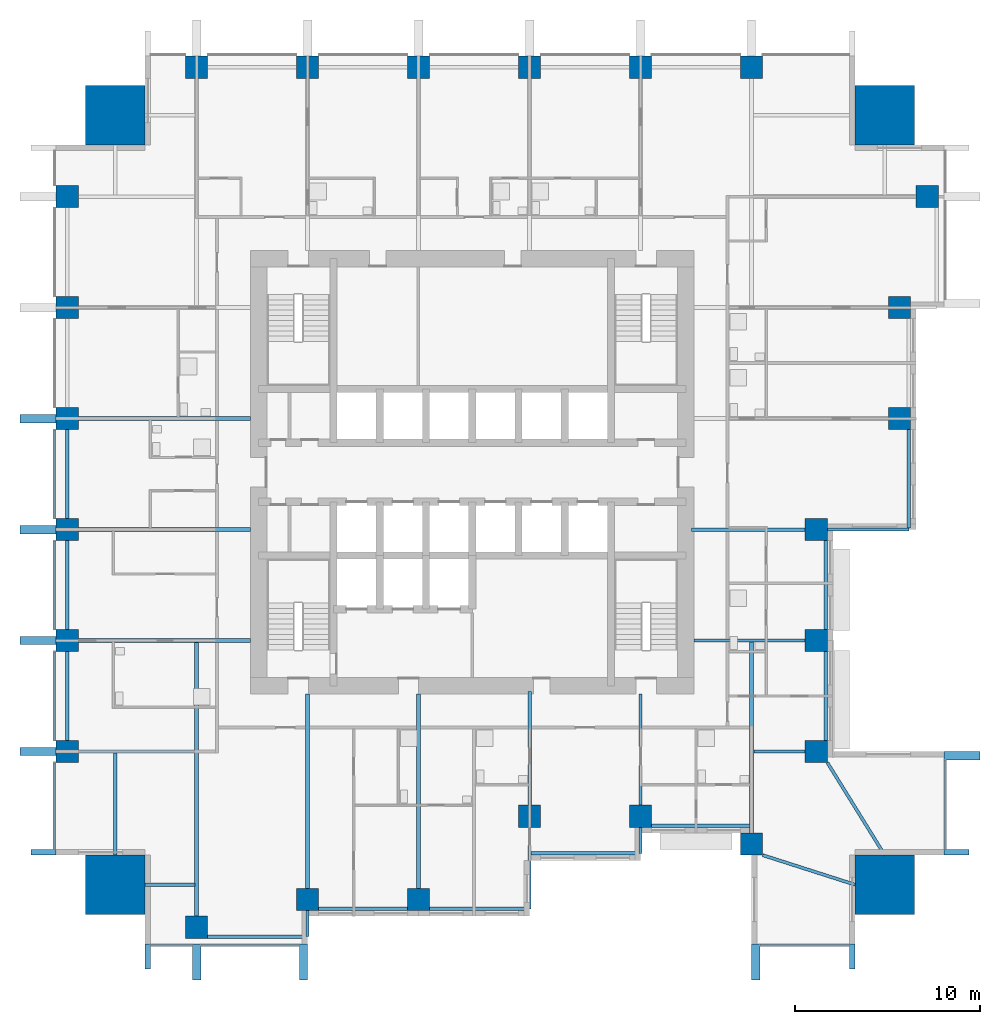
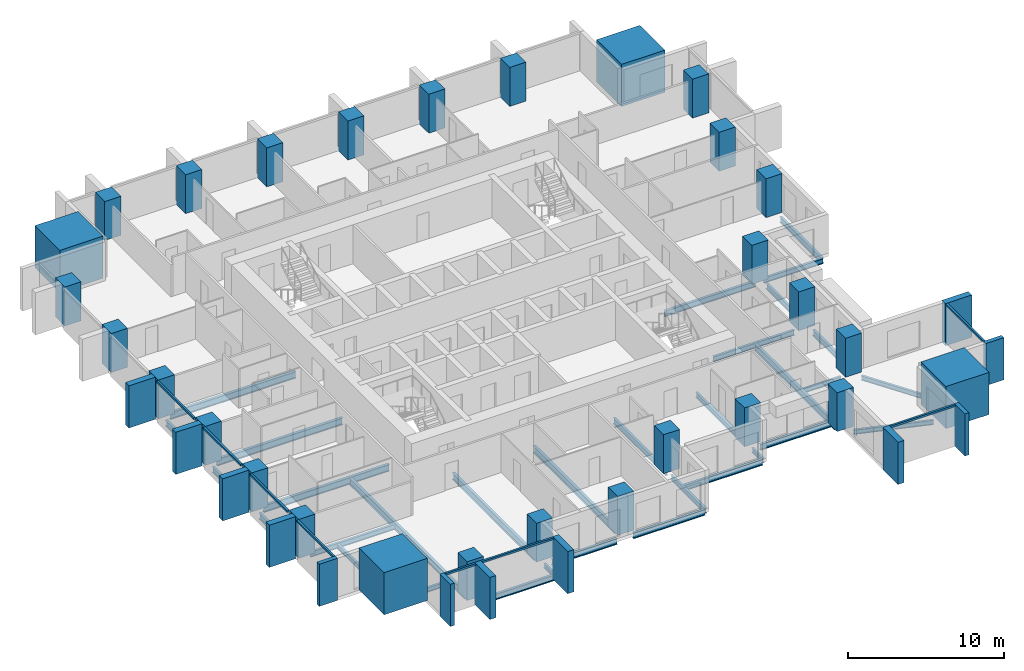
# One storey, part 1 of 10: 32 beams, 28 columns, 20 members, 4 elements without a shape of their own.
"""IFC4 building model written with IfcOpenShell, lengths in metres."""

from ifc_helpers import new_model, si_unit, direction, frame, origin, origin_2d, place, context, subcontext, project, spatial, rectangle, i_section, extrude, material, material_profile, profile_set, type_object, element, aggregate, save


model = new_model("IFC4")

# Units and contexts
model_context = context("Model", 3, precision=1e-05, world=origin(), true_north=direction((0.0, 1.0)))
body_context = subcontext(model_context, "Body", "Model", "MODEL_VIEW")
ifc_project = project(units=[si_unit("LENGTHUNIT", "METRE"), si_unit("AREAUNIT", "SQUARE_METRE"), si_unit("VOLUMEUNIT", "CUBIC_METRE"), si_unit("PLANEANGLEUNIT", "RADIAN"), si_unit("MASSUNIT", "GRAM", prefix="KILO")], contexts=[model_context])

# Site, building, storey
site_placement = place(None, origin())
site = spatial("IfcSite", under=ifc_project, at=site_placement, CompositionType="ELEMENT")
building_placement = place(site_placement, origin())
building = spatial("IfcBuilding", under=site, at=building_placement, Name="Amberfall Residences", CompositionType="ELEMENT")
storey_placement = place(building_placement, frame((0.0, 0.0, 63.10009765625)))
storey = spatial("IfcBuildingStorey", under=building, at=storey_placement, Name="L17", CompositionType="ELEMENT", Elevation=63.10009765625)

# Columns
ifc_material_1 = material(Name="Concrete C80", Category="concrete")
ifc_material_profile_1 = material_profile(ifc_material_1, rectangle(XDim=1.199951171875, YDim=1.199951171875, at=origin_2d()), Name="Column 1200 x 1200 C80")
ifc_profile_set_1 = profile_set([ifc_material_profile_1], Name="Concrete C80")
column_type_1 = type_object("IfcColumnType", Name="Column 1200 x 1200 C80", PredefinedType="COLUMN", material=ifc_profile_set_1)
for number, where, z_axis, x_axis, name in (
    (1, (59.60009765625, 20.89990234375, 0.0), (0.0, 0.0, 1.0), (1.0, 0.0, 0.0), "Column C1 L17 S1"),
    (2, (65.60009765625, 22.39990234375, 0.0), (0.0, 0.0, 1.0), (1.0, 0.0, 0.0), "Column C1 L17 S2"),
    (3, (71.60009765625, 22.39990234375, 0.0), (0.0, 0.0, 1.0), (1.0, 0.0, 0.0), "Column C1 L17 S3"),
    (4, (77.60009765625, 26.89990234375, 0.0), (0.0, 0.0, 1.0), (1.0, 0.0, 0.0), "Column C1 L17 S4"),
    (5, (83.60009765625, 26.89990234375, 0.0), (0.0, 0.0, 1.0), (1.0, 0.0, 0.0), "Column C1 L17 S5"),
    (6, (89.60009765625, 25.39990234375, 0.0), (0.0, 0.0, 1.0), (1.0, 0.0, 0.0), "Column C1 L17 S6"),
    (7, (93.10009765625, 30.39990234375, 0.0), (0.0, 0.0, 1.0), (1.0, 0.0, 0.0), "Column C1 L17 E1"),
    (8, (93.10009765625, 36.39990234375, 0.0), (0.0, 0.0, 1.0), (1.0, 0.0, 0.0), "Column C1 L17 E2"),
    (9, (93.10009765625, 42.39990234375, 0.0), (0.0, 0.0, 1.0), (1.0, 0.0, 0.0), "Column C1 L17 E3"),
    (10, (97.60009765625, 48.39990234375, 0.0), (0.0, 0.0, 1.0), (1.0, 0.0, 0.0), "Column C1 L17 E4"),
    (11, (97.60009765625, 54.39990234375, 0.0), (0.0, 0.0, 1.0), (1.0, 0.0, 0.0), "Column C1 L17 E5"),
    (12, (99.10009765625, 60.39990234375, 0.0), (0.0, 0.0, 1.0), (1.0, 0.0, 0.0), "Column C1 L17 E6"),
    (13, (59.60009765625, 67.39990234375, 0.0), (0.0, 0.0, 1.0), (1.0, 0.0, 0.0), "Column C1 L17 N1"),
    (14, (65.60009765625, 67.39990234375, 0.0), (0.0, 0.0, 1.0), (1.0, 0.0, 0.0), "Column C1 L17 N2"),
    (15, (71.60009765625, 67.39990234375, 0.0), (0.0, 0.0, 1.0), (1.0, 0.0, 0.0), "Column C1 L17 N3"),
    (16, (77.60009765625, 67.39990234375, 0.0), (0.0, 0.0, 1.0), (1.0, 0.0, 0.0), "Column C1 L17 N4"),
    (17, (83.60009765625, 67.39990234375, 0.0), (0.0, 0.0, 1.0), (1.0, 0.0, 0.0), "Column C1 L17 N5"),
    (18, (89.60009765625, 67.39990234375, 0.0), (0.0, 0.0, 1.0), (1.0, 0.0, 0.0), "Column C1 L17 N6"),
    (19, (52.60009765625, 30.39990234375, 0.0), (0.0, 0.0, 1.0), (1.0, 0.0, 0.0), "Column C1 L17 W1"),
    (20, (52.60009765625, 36.39990234375, 0.0), (0.0, 0.0, 1.0), (1.0, 0.0, 0.0), "Column C1 L17 W2"),
    (21, (52.60009765625, 42.39990234375, 0.0), (0.0, 0.0, 1.0), (1.0, 0.0, 0.0), "Column C1 L17 W3"),
    (22, (52.60009765625, 48.39990234375, 0.0), (0.0, 0.0, 1.0), (1.0, 0.0, 0.0), "Column C1 L17 W4"),
    (23, (52.60009765625, 54.39990234375, 0.0), (0.0, 0.0, 1.0), (1.0, 0.0, 0.0), "Column C1 L17 W5"),
    (24, (52.60009765625, 60.39990234375, 0.0), (0.0, 0.0, 1.0), (1.0, 0.0, 0.0), "Column C1 L17 W6"),
):
    element("IfcColumn", number, at=place(storey_placement, frame(where, z_axis=z_axis, x_axis=x_axis)), inside=storey, type_object=column_type_1, Name=name, PredefinedType="COLUMN", context=body_context, shape_type="SweptSolid", body=[
        extrude(rectangle(XDim=1.199951171875, YDim=1.199951171875, at=origin_2d()), origin(), (0.0, 0.0, 1.0), 3.0498046875),
    ])
ifc_material_profile_2 = material_profile(ifc_material_1, rectangle(XDim=3.199951171875, YDim=3.199951171875, at=origin_2d()), Name="Mega column 3200 x 3200 C80")
ifc_profile_set_2 = profile_set([ifc_material_profile_2], Name="Concrete C80")
column_type_2 = type_object("IfcColumnType", Name="Mega column 3200 x 3200 C80", PredefinedType="COLUMN", material=ifc_profile_set_2)
for number, where, z_axis, x_axis, name in (
    (25, (55.199951171875, 23.199951171875, 0.0), (0.0, 0.0, 1.0), (1.0, 0.0, 0.0), "Mega column MC1 L17 SW"),
    (26, (96.800048828125, 23.199951171875, 0.0), (0.0, 0.0, 1.0), (1.0, 0.0, 0.0), "Mega column MC1 L17 SE"),
    (27, (96.800048828125, 64.800048828125, 0.0), (0.0, 0.0, 1.0), (1.0, 0.0, 0.0), "Mega column MC1 L17 NE"),
    (28, (55.199951171875, 64.800048828125, 0.0), (0.0, 0.0, 1.0), (1.0, 0.0, 0.0), "Mega column MC1 L17 NW"),
):
    element("IfcColumn", number, at=place(storey_placement, frame(where, z_axis=z_axis, x_axis=x_axis)), inside=storey, type_object=column_type_2, Name=name, PredefinedType="COLUMN", context=body_context, shape_type="SweptSolid", body=[
        extrude(rectangle(XDim=3.199951171875, YDim=3.199951171875, at=origin_2d()), origin(), (0.0, 0.0, 1.0), 3.2998046875),
    ])

# Curtain wall, members
ifc_material_2 = material(Name="Bronze anodised aluminium and glass", Category="aluminium")
curtain_wall_type = type_object("IfcCurtainWallType", Name="Curtain wall CW1 tower unit", PredefinedType="USERDEFINED", material=ifc_material_2)
curtain_wall_1_placement = place(storey_placement, origin())
curtain_wall_1 = element("IfcCurtainWall", 29, at=curtain_wall_1_placement, inside=storey, type_object=curtain_wall_type, Name="Curtain wall L17 S S1", ObjectType="UNITISED CURTAIN WALL", PredefinedType="USERDEFINED")
ifc_material_3 = material(Name="Bronze anodised aluminium", Category="aluminium")
ifc_material_profile_3 = material_profile(ifc_material_3, rectangle(XDim=0.14990234375, YDim=0.14990234375, at=origin_2d()), Name="CW1 transom 150 x 150 bronze")
ifc_profile_set_3 = profile_set([ifc_material_profile_3], Name="Bronze anodised aluminium")
member_type_1 = type_object("IfcMemberType", Name="CW1 transom 150 x 150 bronze", PredefinedType="USERDEFINED", material=ifc_profile_set_3)
member_1_placement = place(storey_placement, frame((57.10009765625, 19.925048828125, 2.974853515625), z_axis=(1.0, 0.0, 0.0), x_axis=(0.0, 1.0, 0.0)))
member_1 = element("IfcMember", 30, at=member_1_placement, type_object=member_type_1, Name="CW1 transom 1.1", ObjectType="TRANSOM", PredefinedType="USERDEFINED", context=body_context, shape_type="SweptSolid", body=[
    extrude(rectangle(XDim=0.14990234375, YDim=0.14990234375, at=origin_2d()), origin(), (0.0, 0.0, 1.0), 2.27490234375),
])
member_2_placement = place(storey_placement, frame((59.824951171875, 19.925048828125, 2.974853515625), z_axis=(1.0, 0.0, 0.0), x_axis=(0.0, 1.0, 0.0)))
member_2 = element("IfcMember", 31, at=member_2_placement, type_object=member_type_1, Name="CW1 transom 2.1", ObjectType="TRANSOM", PredefinedType="USERDEFINED", context=body_context, shape_type="SweptSolid", body=[
    extrude(rectangle(XDim=0.14990234375, YDim=0.14990234375, at=origin_2d()), origin(), (0.0, 0.0, 1.0), 5.324951171875),
])

# Curtain wall, member
curtain_wall_2_placement = place(storey_placement, origin())
curtain_wall_2 = element("IfcCurtainWall", 32, at=curtain_wall_2_placement, inside=storey, type_object=curtain_wall_type, Name="Curtain wall L17 S S10", ObjectType="UNITISED CURTAIN WALL", PredefinedType="USERDEFINED")
member_3_placement = place(storey_placement, frame((90.050048828125, 19.925048828125, 2.974853515625), z_axis=(1.0, 0.0, 0.0), x_axis=(0.0, 1.0, 0.0)))
member_3 = element("IfcMember", 33, at=member_3_placement, type_object=member_type_1, Name="CW1 transom 1.1", ObjectType="TRANSOM", PredefinedType="USERDEFINED", context=body_context, shape_type="SweptSolid", body=[
    extrude(rectangle(XDim=0.14990234375, YDim=0.14990234375, at=origin_2d()), origin(), (0.0, 0.0, 1.0), 4.849853515625),
])

curtain_wall_3_placement = place(storey_placement, origin())
curtain_wall_3 = element("IfcCurtainWall", 34, at=curtain_wall_3_placement, inside=storey, type_object=curtain_wall_type, Name="Curtain wall L17 E E1", ObjectType="UNITISED CURTAIN WALL", PredefinedType="USERDEFINED")
member_4_placement = place(storey_placement, frame((100.074951171875, 25.10009765625, 2.974853515625), z_axis=(0.0, 1.0, 0.0), x_axis=(-1.0, 0.0, 0.0)))
member_4 = element("IfcMember", 35, at=member_4_placement, type_object=member_type_1, Name="CW1 transom 1.1", ObjectType="TRANSOM", PredefinedType="USERDEFINED", context=body_context, shape_type="SweptSolid", body=[
    extrude(rectangle(XDim=0.14990234375, YDim=0.14990234375, at=origin_2d()), origin(), (0.0, 0.0, 1.0), 4.849853515625),
])

# Curtain wall, members
curtain_wall_4_placement = place(storey_placement, origin())
curtain_wall_4 = element("IfcCurtainWall", 36, at=curtain_wall_4_placement, inside=storey, type_object=curtain_wall_type, Name="Curtain wall L17 W W1", ObjectType="UNITISED CURTAIN WALL", PredefinedType="USERDEFINED")
member_5_placement = place(storey_placement, frame((51.925048828125, 47.794921875, 2.974853515625), z_axis=(0.0, -1.0, 0.0), x_axis=(1.0, 0.0, 0.0)))
member_5 = element("IfcMember", 37, at=member_5_placement, type_object=member_type_1, Name="CW1 transom 4.1", ObjectType="TRANSOM", PredefinedType="USERDEFINED", context=body_context, shape_type="SweptSolid", body=[
    extrude(rectangle(XDim=0.14990234375, YDim=0.14990234375, at=origin_2d()), origin(), (0.0, 0.0, 1.0), 4.7900390625),
])
member_6_placement = place(storey_placement, frame((51.925048828125, 41.794921875, 2.974853515625), z_axis=(0.0, -1.0, 0.0), x_axis=(1.0, 0.0, 0.0)))
member_6 = element("IfcMember", 38, at=member_6_placement, type_object=member_type_1, Name="CW1 transom 5.1", ObjectType="TRANSOM", PredefinedType="USERDEFINED", context=body_context, shape_type="SweptSolid", body=[
    extrude(rectangle(XDim=0.14990234375, YDim=0.14990234375, at=origin_2d()), origin(), (0.0, 0.0, 1.0), 4.7900390625),
])
member_7_placement = place(storey_placement, frame((51.925048828125, 35.794921875, 2.974853515625), z_axis=(0.0, -1.0, 0.0), x_axis=(1.0, 0.0, 0.0)))
member_7 = element("IfcMember", 39, at=member_7_placement, type_object=member_type_1, Name="CW1 transom 6.1", ObjectType="TRANSOM", PredefinedType="USERDEFINED", context=body_context, shape_type="SweptSolid", body=[
    extrude(rectangle(XDim=0.14990234375, YDim=0.14990234375, at=origin_2d()), origin(), (0.0, 0.0, 1.0), 4.7900390625),
])
member_8_placement = place(storey_placement, frame((51.925048828125, 29.794921875, 2.974853515625), z_axis=(0.0, -1.0, 0.0), x_axis=(1.0, 0.0, 0.0)))
member_8 = element("IfcMember", 40, at=member_8_placement, type_object=member_type_1, Name="CW1 transom 7.1", ObjectType="TRANSOM", PredefinedType="USERDEFINED", context=body_context, shape_type="SweptSolid", body=[
    extrude(rectangle(XDim=0.14990234375, YDim=0.14990234375, at=origin_2d()), origin(), (0.0, 0.0, 1.0), 4.69482421875),
])

# Beams
ifc_material_4 = material(Name="Steel S355", Category="steel")
ifc_material_profile_4 = material_profile(ifc_material_4, i_section(OverallWidth=0.171142578125, OverallDepth=0.351318359375, WebThickness=0.007080078125, FlangeThickness=0.009765625, FilletRadius=0.01025390625, at=origin_2d()), Name="UB 356x171x45")
ifc_profile_set_4 = profile_set([ifc_material_profile_4], Name="Steel S355")
beam_type_1 = type_object("IfcBeamType", Name="Cantilever girder UB 356x171x45", PredefinedType="BEAM", material=ifc_profile_set_4)
for number, where, z_axis, x_axis, name in (
    (41, (65.60009765625, 21.800048828125, -0.42578125), (0.0, -1.0, 0.0), (1.0, 0.0, 0.0), "Cantilever girder B8 L17 06"),
    (42, (83.60009765625, 26.300048828125, -0.42578125), (0.0, -1.0, 0.0), (1.0, 0.0, 0.0), "Cantilever girder B8 L17 08"),
):
    element("IfcBeam", number, at=place(storey_placement, frame(where, z_axis=z_axis, x_axis=x_axis)), inside=storey, type_object=beam_type_1, Name=name, PredefinedType="BEAM", context=body_context, shape_type="SweptSolid", body=[
        extrude(i_section(OverallWidth=0.171142578125, OverallDepth=0.351318359375, WebThickness=0.007080078125, FlangeThickness=0.009765625, FilletRadius=0.01025390625, at=origin_2d()), origin(), (0.0, 0.0, 1.0), 1.400146484375),
    ])
ifc_material_profile_5 = material_profile(ifc_material_4, i_section(OverallWidth=0.177734375, OverallDepth=0.402587890625, WebThickness=0.0078125, FlangeThickness=0.010986328125, FilletRadius=0.01025390625, at=origin_2d()), Name="UB 406x178x54")
ifc_profile_set_5 = profile_set([ifc_material_profile_5], Name="Steel S355")
beam_type_2 = type_object("IfcBeamType", Name="Cantilever girder UB 406x178x54", PredefinedType="BEAM", material=ifc_profile_set_5)
for number, where, z_axis, x_axis, name in (
    (43, (77.60009765625, 26.300048828125, -0.451416015625), (0.0, -1.0, 0.0), (1.0, 0.0, 0.0), "Cantilever girder B9 L17 07"),
    (44, (93.699951171875, 42.39990234375, -0.451416015625), (1.0, 0.0, 0.0), (0.0, 1.0, 0.0), "Cantilever girder B9 L17 20"),
):
    element("IfcBeam", number, at=place(storey_placement, frame(where, z_axis=z_axis, x_axis=x_axis)), inside=storey, type_object=beam_type_2, Name=name, PredefinedType="BEAM", context=body_context, shape_type="SweptSolid", body=[
        extrude(i_section(OverallWidth=0.177734375, OverallDepth=0.402587890625, WebThickness=0.0078125, FlangeThickness=0.010986328125, FilletRadius=0.01025390625, at=origin_2d()), origin(), (0.0, 0.0, 1.0), 4.400146484375),
    ])

# Member
ifc_material_profile_6 = material_profile(ifc_material_3, rectangle(XDim=1.35009765625, YDim=0.300048828125, at=origin_2d()), Name="Corner fin 300 x 1350 bronze")
ifc_profile_set_6 = profile_set([ifc_material_profile_6], Name="Bronze anodised aluminium")
member_type_2 = type_object("IfcMemberType", Name="Corner fin 300 x 1350 bronze", PredefinedType="MULLION", material=ifc_profile_set_6)
member_9_placement = place(storey_placement, frame((56.949951171875, 19.324951171875, -0.25), z_axis=(0.0, 0.0, 1.0), x_axis=(0.0, 1.0, 0.0)))
member_9 = element("IfcMember", 45, at=member_9_placement, type_object=member_type_2, Name="CW FIN 1", PredefinedType="MULLION", context=body_context, shape_type="SweptSolid", body=[
    extrude(rectangle(XDim=1.35009765625, YDim=0.300048828125, at=origin_2d()), origin(), (0.0, 0.0, 1.0), 3.2998046875),
])

member_10_placement = place(storey_placement, frame((95.050048828125, 19.324951171875, -0.25), z_axis=(0.0, 0.0, 1.0), x_axis=(0.0, 1.0, 0.0)))
member_10 = element("IfcMember", 46, at=member_10_placement, type_object=member_type_2, Name="CW FIN 2", PredefinedType="MULLION", context=body_context, shape_type="SweptSolid", body=[
    extrude(rectangle(XDim=1.35009765625, YDim=0.300048828125, at=origin_2d()), origin(), (0.0, 0.0, 1.0), 3.2998046875),
])

member_11_placement = place(storey_placement, frame((100.675048828125, 24.949951171875, -0.25), z_axis=(0.0, 0.0, 1.0), x_axis=(-1.0, 0.0, 0.0)))
member_11 = element("IfcMember", 47, at=member_11_placement, type_object=member_type_2, Name="CW FIN 1", PredefinedType="MULLION", context=body_context, shape_type="SweptSolid", body=[
    extrude(rectangle(XDim=1.35009765625, YDim=0.300048828125, at=origin_2d()), origin(), (0.0, 0.0, 1.0), 3.2998046875),
])

member_12_placement = place(storey_placement, frame((51.324951171875, 24.949951171875, -0.25), z_axis=(0.0, 0.0, 1.0), x_axis=(1.0, 0.0, 0.0)))
member_12 = element("IfcMember", 48, at=member_12_placement, type_object=member_type_2, Name="CW FIN 8", PredefinedType="MULLION", context=body_context, shape_type="SweptSolid", body=[
    extrude(rectangle(XDim=1.35009765625, YDim=0.300048828125, at=origin_2d()), origin(), (0.0, 0.0, 1.0), 3.2998046875),
])

# Beams
ifc_material_profile_7 = material_profile(ifc_material_4, i_section(OverallWidth=0.18994140625, OverallDepth=0.453369140625, WebThickness=0.008544921875, FlangeThickness=0.0126953125, FilletRadius=0.01025390625, at=origin_2d()), Name="UB 457x191x67")
ifc_profile_set_7 = profile_set([ifc_material_profile_7], Name="Steel S355")
beam_type_3 = type_object("IfcBeamType", Name="Edge beam UB 457x191x67", PredefinedType="SPANDREL", material=ifc_profile_set_7)
beam_1_placement = place(storey_placement, frame((60.199951171875, 20.39990234375, -0.476806640625), z_axis=(1.0, 0.0, 0.0), x_axis=(0.0, 1.0, 0.0)))
element("IfcBeam", 49, at=beam_1_placement, inside=storey, type_object=beam_type_3, Name="Edge beam B1 L17 01", PredefinedType="SPANDREL", context=body_context, shape_type="SweptSolid", body=[
    extrude(i_section(OverallWidth=0.18994140625, OverallDepth=0.453369140625, WebThickness=0.008544921875, FlangeThickness=0.0126953125, FilletRadius=0.01025390625, at=origin_2d()), origin(), (0.0, 0.0, 1.0), 5.320068359375),
])
beam_2_placement = place(storey_placement, frame((66.199951171875, 21.89990234375, -0.476806640625), z_axis=(1.0, 0.0, 0.0), x_axis=(0.0, 1.0, 0.0)))
element("IfcBeam", 50, at=beam_2_placement, inside=storey, type_object=beam_type_3, Name="Edge beam B1 L17 02", PredefinedType="SPANDREL", context=body_context, shape_type="SweptSolid", body=[
    extrude(i_section(OverallWidth=0.18994140625, OverallDepth=0.453369140625, WebThickness=0.008544921875, FlangeThickness=0.0126953125, FilletRadius=0.01025390625, at=origin_2d()), origin(), (0.0, 0.0, 1.0), 4.800048828125),
])
beam_3_placement = place(storey_placement, frame((72.199951171875, 21.89990234375, -0.476806640625), z_axis=(1.0, 0.0, 0.0), x_axis=(0.0, 1.0, 0.0)))
element("IfcBeam", 51, at=beam_3_placement, inside=storey, type_object=beam_type_3, Name="Edge beam B1 L17 03", PredefinedType="SPANDREL", context=body_context, shape_type="SweptSolid", body=[
    extrude(i_section(OverallWidth=0.18994140625, OverallDepth=0.453369140625, WebThickness=0.008544921875, FlangeThickness=0.0126953125, FilletRadius=0.01025390625, at=origin_2d()), origin(), (0.0, 0.0, 1.0), 5.320068359375),
])
beam_4_placement = place(storey_placement, frame((77.679931640625, 24.89990234375, -0.476806640625), z_axis=(1.0, 0.0, 0.0), x_axis=(0.0, 1.0, 0.0)))
element("IfcBeam", 52, at=beam_4_placement, inside=storey, type_object=beam_type_3, Name="Edge beam B1 L17 04", PredefinedType="SPANDREL", context=body_context, shape_type="SweptSolid", body=[
    extrude(i_section(OverallWidth=0.18994140625, OverallDepth=0.453369140625, WebThickness=0.008544921875, FlangeThickness=0.0126953125, FilletRadius=0.01025390625, at=origin_2d()), origin(), (0.0, 0.0, 1.0), 5.840087890625),
])
beam_5_placement = place(storey_placement, frame((84.199951171875, 26.39990234375, -0.476806640625), z_axis=(1.0, 0.0, 0.0), x_axis=(0.0, 1.0, 0.0)))
element("IfcBeam", 53, at=beam_5_placement, inside=storey, type_object=beam_type_3, Name="Edge beam B1 L17 05", PredefinedType="SPANDREL", context=body_context, shape_type="SweptSolid", body=[
    extrude(i_section(OverallWidth=0.18994140625, OverallDepth=0.453369140625, WebThickness=0.008544921875, FlangeThickness=0.0126953125, FilletRadius=0.01025390625, at=origin_2d()), origin(), (0.0, 0.0, 1.0), 5.320068359375),
])
for number, where, z_axis, x_axis, name in (
    (54, (93.60009765625, 31.0, -0.476806640625), (0.0, 1.0, 0.0), (-1.0, 0.0, 0.0), "Edge beam B1 L17 15"),
    (55, (93.60009765625, 37.0, -0.476806640625), (0.0, 1.0, 0.0), (-1.0, 0.0, 0.0), "Edge beam B1 L17 16"),
):
    element("IfcBeam", number, at=place(storey_placement, frame(where, z_axis=z_axis, x_axis=x_axis)), inside=storey, type_object=beam_type_3, Name=name, PredefinedType="SPANDREL", context=body_context, shape_type="SweptSolid", body=[
        extrude(i_section(OverallWidth=0.18994140625, OverallDepth=0.453369140625, WebThickness=0.008544921875, FlangeThickness=0.0126953125, FilletRadius=0.01025390625, at=origin_2d()), origin(), (0.0, 0.0, 1.0), 4.800048828125),
    ])
beam_6_placement = place(storey_placement, frame((98.10009765625, 42.47998046875, -0.476806640625), z_axis=(0.0, 1.0, 0.0), x_axis=(-1.0, 0.0, 0.0)))
element("IfcBeam", 56, at=beam_6_placement, inside=storey, type_object=beam_type_3, Name="Edge beam B1 L17 17", PredefinedType="SPANDREL", context=body_context, shape_type="SweptSolid", body=[
    extrude(i_section(OverallWidth=0.18994140625, OverallDepth=0.453369140625, WebThickness=0.008544921875, FlangeThickness=0.0126953125, FilletRadius=0.01025390625, at=origin_2d()), origin(), (0.0, 0.0, 1.0), 5.320068359375),
])
for number, where, z_axis, x_axis, name in (
    (57, (52.60009765625, 31.0, -0.476806640625), (0.0, 1.0, 0.0), (-1.0, 0.0, 0.0), "Edge beam B1 L17 39"),
    (58, (52.60009765625, 37.0, -0.476806640625), (0.0, 1.0, 0.0), (-1.0, 0.0, 0.0), "Edge beam B1 L17 40"),
    (59, (52.60009765625, 43.0, -0.476806640625), (0.0, 1.0, 0.0), (-1.0, 0.0, 0.0), "Edge beam B1 L17 41"),
):
    element("IfcBeam", number, at=place(storey_placement, frame(where, z_axis=z_axis, x_axis=x_axis)), inside=storey, type_object=beam_type_3, Name=name, PredefinedType="SPANDREL", context=body_context, shape_type="SweptSolid", body=[
        extrude(i_section(OverallWidth=0.18994140625, OverallDepth=0.453369140625, WebThickness=0.008544921875, FlangeThickness=0.0126953125, FilletRadius=0.01025390625, at=origin_2d()), origin(), (0.0, 0.0, 1.0), 4.800048828125),
    ])

# Member
ifc_material_profile_8 = material_profile(ifc_material_3, rectangle(XDim=1.949951171875, YDim=0.449951171875, at=origin_2d()), Name="Fin 450 x 1950 bronze")
ifc_profile_set_8 = profile_set([ifc_material_profile_8], Name="Bronze anodised aluminium")
member_type_3 = type_object("IfcMemberType", Name="Fin 450 x 1950 bronze", PredefinedType="MULLION", material=ifc_profile_set_8)
member_13_placement = place(storey_placement, frame((59.60009765625, 19.02490234375, -0.25), z_axis=(0.0, 0.0, 1.0), x_axis=(0.0, 1.0, 0.0)))
member_13 = element("IfcMember", 60, at=member_13_placement, type_object=member_type_3, Name="CW FIN 2", PredefinedType="MULLION", context=body_context, shape_type="SweptSolid", body=[
    extrude(rectangle(XDim=1.949951171875, YDim=0.449951171875, at=origin_2d()), origin(), (0.0, 0.0, 1.0), 3.2998046875),
])

member_14_placement = place(storey_placement, frame((65.375, 19.02490234375, -0.25), z_axis=(0.0, 0.0, 1.0), x_axis=(0.0, 1.0, 0.0)))
member_14 = element("IfcMember", 61, at=member_14_placement, type_object=member_type_3, Name="CW FIN 3", PredefinedType="MULLION", context=body_context, shape_type="SweptSolid", body=[
    extrude(rectangle(XDim=1.949951171875, YDim=0.449951171875, at=origin_2d()), origin(), (0.0, 0.0, 1.0), 3.2998046875),
])

aggregate(curtain_wall_1, [member_9, member_13, member_14, member_1, member_2])

member_15_placement = place(storey_placement, frame((89.824951171875, 19.02490234375, -0.25), z_axis=(0.0, 0.0, 1.0), x_axis=(0.0, 1.0, 0.0)))
member_15 = element("IfcMember", 62, at=member_15_placement, type_object=member_type_3, Name="CW FIN 1", PredefinedType="MULLION", context=body_context, shape_type="SweptSolid", body=[
    extrude(rectangle(XDim=1.949951171875, YDim=0.449951171875, at=origin_2d()), origin(), (0.0, 0.0, 1.0), 3.2998046875),
])

aggregate(curtain_wall_2, [member_15, member_10, member_3])

member_16_placement = place(storey_placement, frame((100.97509765625, 30.175048828125, -0.25), z_axis=(0.0, 0.0, 1.0), x_axis=(-1.0, 0.0, 0.0)))
member_16 = element("IfcMember", 63, at=member_16_placement, type_object=member_type_3, Name="CW FIN 2", PredefinedType="MULLION", context=body_context, shape_type="SweptSolid", body=[
    extrude(rectangle(XDim=1.949951171875, YDim=0.449951171875, at=origin_2d()), origin(), (0.0, 0.0, 1.0), 3.2998046875),
])

aggregate(curtain_wall_3, [member_11, member_16, member_4])

member_17_placement = place(storey_placement, frame((51.02490234375, 48.39990234375, -0.25), z_axis=(0.0, 0.0, 1.0), x_axis=(1.0, 0.0, 0.0)))
member_17 = element("IfcMember", 64, at=member_17_placement, type_object=member_type_3, Name="CW FIN 4", PredefinedType="MULLION", context=body_context, shape_type="SweptSolid", body=[
    extrude(rectangle(XDim=1.949951171875, YDim=0.449951171875, at=origin_2d()), origin(), (0.0, 0.0, 1.0), 3.2998046875),
])

member_18_placement = place(storey_placement, frame((51.02490234375, 42.39990234375, -0.25), z_axis=(0.0, 0.0, 1.0), x_axis=(1.0, 0.0, 0.0)))
member_18 = element("IfcMember", 65, at=member_18_placement, type_object=member_type_3, Name="CW FIN 5", PredefinedType="MULLION", context=body_context, shape_type="SweptSolid", body=[
    extrude(rectangle(XDim=1.949951171875, YDim=0.449951171875, at=origin_2d()), origin(), (0.0, 0.0, 1.0), 3.2998046875),
])

member_19_placement = place(storey_placement, frame((51.02490234375, 36.39990234375, -0.25), z_axis=(0.0, 0.0, 1.0), x_axis=(1.0, 0.0, 0.0)))
member_19 = element("IfcMember", 66, at=member_19_placement, type_object=member_type_3, Name="CW FIN 6", PredefinedType="MULLION", context=body_context, shape_type="SweptSolid", body=[
    extrude(rectangle(XDim=1.949951171875, YDim=0.449951171875, at=origin_2d()), origin(), (0.0, 0.0, 1.0), 3.2998046875),
])

member_20_placement = place(storey_placement, frame((51.02490234375, 30.39990234375, -0.25), z_axis=(0.0, 0.0, 1.0), x_axis=(1.0, 0.0, 0.0)))
member_20 = element("IfcMember", 67, at=member_20_placement, type_object=member_type_3, Name="CW FIN 7", PredefinedType="MULLION", context=body_context, shape_type="SweptSolid", body=[
    extrude(rectangle(XDim=1.949951171875, YDim=0.449951171875, at=origin_2d()), origin(), (0.0, 0.0, 1.0), 3.2998046875),
])

aggregate(curtain_wall_4, [member_17, member_18, member_19, member_20, member_12, member_5, member_6, member_7, member_8])

# Beams
ifc_material_profile_9 = material_profile(ifc_material_4, i_section(OverallWidth=0.171142578125, OverallDepth=0.351318359375, WebThickness=0.007080078125, FlangeThickness=0.009765625, FilletRadius=0.01025390625, at=origin_2d()), Name="UB 356x171x45")
ifc_profile_set_9 = profile_set([ifc_material_profile_9], Name="Steel S355")
beam_type_4 = type_object("IfcBeamType", Name="Floor girder UB 356x171x45", PredefinedType="BEAM", material=ifc_profile_set_9)
beam_7_placement = place(storey_placement, frame((92.5, 30.39990234375, -0.42578125), z_axis=(-1.0, 0.0, 0.0), x_axis=(0.0, -1.0, 0.0)))
element("IfcBeam", 68, at=beam_7_placement, inside=storey, type_object=beam_type_4, Name="Floor girder B11 L17 22", PredefinedType="BEAM", context=body_context, shape_type="SweptSolid", body=[
    extrude(i_section(OverallWidth=0.171142578125, OverallDepth=0.351318359375, WebThickness=0.007080078125, FlangeThickness=0.009765625, FilletRadius=0.01025390625, at=origin_2d()), origin(), (0.0, 0.0, 1.0), 2.780029296875),
])
ifc_material_profile_10 = material_profile(ifc_material_4, i_section(OverallWidth=0.177734375, OverallDepth=0.402587890625, WebThickness=0.0078125, FlangeThickness=0.010986328125, FilletRadius=0.01025390625, at=origin_2d()), Name="UB 406x178x54")
ifc_profile_set_10 = profile_set([ifc_material_profile_10], Name="Steel S355")
beam_type_5 = type_object("IfcBeamType", Name="Floor girder UB 406x178x54", PredefinedType="BEAM", material=ifc_profile_set_10)
for number, where, z_axis, x_axis, name in (
    (69, (83.60009765625, 27.5, -0.451416015625), (0.0, 1.0, 0.0), (-1.0, 0.0, 0.0), "Floor girder B4 L17 13"),
    (70, (92.5, 36.39990234375, -0.451416015625), (-1.0, 0.0, 0.0), (0.0, -1.0, 0.0), "Floor girder B4 L17 23"),
):
    element("IfcBeam", number, at=place(storey_placement, frame(where, z_axis=z_axis, x_axis=x_axis)), inside=storey, type_object=beam_type_5, Name=name, PredefinedType="BEAM", context=body_context, shape_type="SweptSolid", body=[
        extrude(i_section(OverallWidth=0.177734375, OverallDepth=0.402587890625, WebThickness=0.0078125, FlangeThickness=0.010986328125, FilletRadius=0.01025390625, at=origin_2d()), origin(), (0.0, 0.0, 1.0), 6.0),
    ])
beam_8_placement = place(storey_placement, frame((53.199951171875, 30.39990234375, -0.451416015625), z_axis=(1.0, 0.0, 0.0), x_axis=(0.0, 1.0, 0.0)))
element("IfcBeam", 71, at=beam_8_placement, inside=storey, type_object=beam_type_5, Name="Floor girder B4 L17 44", PredefinedType="BEAM", context=body_context, shape_type="SweptSolid", body=[
    extrude(i_section(OverallWidth=0.177734375, OverallDepth=0.402587890625, WebThickness=0.0078125, FlangeThickness=0.010986328125, FilletRadius=0.01025390625, at=origin_2d()), origin(), (0.0, 0.0, 1.0), 6.280029296875),
])
ifc_material_profile_11 = material_profile(ifc_material_4, i_section(OverallWidth=0.19140625, OverallDepth=0.4599609375, WebThickness=0.010009765625, FlangeThickness=0.01611328125, FilletRadius=0.01025390625, at=origin_2d()), Name="UB 457x191x82")
ifc_profile_set_11 = profile_set([ifc_material_profile_11], Name="Steel S355")
beam_type_6 = type_object("IfcBeamType", Name="Floor girder UB 457x191x82", PredefinedType="BEAM", material=ifc_profile_set_11)
for number, where, z_axis, x_axis, name in (
    (72, (77.60009765625, 26.89990234375, -0.47998046875), (0.0, 1.0, 0.0), (-1.0, 0.0, 0.0), "Floor girder B10 L17 12"),
    (73, (93.10009765625, 42.39990234375, -0.47998046875), (-1.0, 0.0, 0.0), (0.0, -1.0, 0.0), "Floor girder B10 L17 24"),
):
    element("IfcBeam", number, at=place(storey_placement, frame(where, z_axis=z_axis, x_axis=x_axis)), inside=storey, type_object=beam_type_6, Name=name, PredefinedType="BEAM", context=body_context, shape_type="SweptSolid", body=[
        extrude(i_section(OverallWidth=0.19140625, OverallDepth=0.4599609375, WebThickness=0.010009765625, FlangeThickness=0.01611328125, FilletRadius=0.01025390625, at=origin_2d()), origin(), (0.0, 0.0, 1.0), 6.75),
    ])
ifc_material_profile_12 = material_profile(ifc_material_4, i_section(OverallWidth=0.210693359375, OverallDepth=0.53955078125, WebThickness=0.01171875, FlangeThickness=0.018798828125, FilletRadius=0.0126953125, at=origin_2d()), Name="UB 533x210x109")
ifc_profile_set_12 = profile_set([ifc_material_profile_12], Name="Steel S355")
beam_type_7 = type_object("IfcBeamType", Name="Floor girder UB 533x210x109", PredefinedType="BEAM", material=ifc_profile_set_12)
beam_9_placement = place(storey_placement, frame((59.60009765625, 21.5, -0.519775390625), z_axis=(0.0, 1.0, 0.0), x_axis=(-1.0, 0.0, 0.0)))
element("IfcBeam", 74, at=beam_9_placement, inside=storey, type_object=beam_type_7, Name="Floor girder B2 L17 09", PredefinedType="BEAM", context=body_context, shape_type="SweptSolid", body=[
    extrude(i_section(OverallWidth=0.210693359375, OverallDepth=0.53955078125, WebThickness=0.01171875, FlangeThickness=0.018798828125, FilletRadius=0.0126953125, at=origin_2d()), origin(), (0.0, 0.0, 1.0), 14.80029296875),
])
ifc_material_profile_13 = material_profile(ifc_material_4, i_section(OverallWidth=0.209228515625, OverallDepth=0.533203125, WebThickness=0.010009765625, FlangeThickness=0.015625, FilletRadius=0.0126953125, at=origin_2d()), Name="UB 533x210x92")
ifc_profile_set_13 = profile_set([ifc_material_profile_13], Name="Steel S355")
beam_type_8 = type_object("IfcBeamType", Name="Floor girder UB 533x210x92", PredefinedType="BEAM", material=ifc_profile_set_13)
for number, where, z_axis, x_axis, name in (
    (75, (65.60009765625, 23.0, -0.5166015625), (0.0, 1.0, 0.0), (-1.0, 0.0, 0.0), "Floor girder B3 L17 10"),
    (76, (71.60009765625, 23.0, -0.5166015625), (0.0, 1.0, 0.0), (-1.0, 0.0, 0.0), "Floor girder B3 L17 11"),
):
    element("IfcBeam", number, at=place(storey_placement, frame(where, z_axis=z_axis, x_axis=x_axis)), inside=storey, type_object=beam_type_8, Name=name, PredefinedType="BEAM", context=body_context, shape_type="SweptSolid", body=[
        extrude(i_section(OverallWidth=0.209228515625, OverallDepth=0.533203125, WebThickness=0.010009765625, FlangeThickness=0.015625, FilletRadius=0.0126953125, at=origin_2d()), origin(), (0.0, 0.0, 1.0), 10.5),
    ])
beam_10_placement = place(storey_placement, frame((89.60009765625, 26.0, -0.5166015625), z_axis=(0.0, 1.0, 0.0), x_axis=(-1.0, 0.0, 0.0)))
element("IfcBeam", 77, at=beam_10_placement, inside=storey, type_object=beam_type_8, Name="Floor girder B3 L17 14", PredefinedType="BEAM", context=body_context, shape_type="SweptSolid", body=[
    extrude(i_section(OverallWidth=0.209228515625, OverallDepth=0.533203125, WebThickness=0.010009765625, FlangeThickness=0.015625, FilletRadius=0.0126953125, at=origin_2d()), origin(), (0.0, 0.0, 1.0), 10.316162109375),
])
for number, where, z_axis, x_axis, name in (
    (78, (53.199951171875, 36.39990234375, -0.5166015625), (1.0, 0.0, 0.0), (0.0, 1.0, 0.0), "Floor girder B3 L17 45"),
    (79, (53.199951171875, 42.39990234375, -0.5166015625), (1.0, 0.0, 0.0), (0.0, 1.0, 0.0), "Floor girder B3 L17 46"),
    (80, (53.199951171875, 48.39990234375, -0.5166015625), (1.0, 0.0, 0.0), (0.0, 1.0, 0.0), "Floor girder B3 L17 47"),
):
    element("IfcBeam", number, at=place(storey_placement, frame(where, z_axis=z_axis, x_axis=x_axis)), inside=storey, type_object=beam_type_8, Name=name, PredefinedType="BEAM", context=body_context, shape_type="SweptSolid", body=[
        extrude(i_section(OverallWidth=0.209228515625, OverallDepth=0.533203125, WebThickness=0.010009765625, FlangeThickness=0.015625, FilletRadius=0.0126953125, at=origin_2d()), origin(), (0.0, 0.0, 1.0), 9.300048828125),
    ])
ifc_material_profile_14 = material_profile(ifc_material_4, i_section(OverallWidth=0.171142578125, OverallDepth=0.351318359375, WebThickness=0.007080078125, FlangeThickness=0.009765625, FilletRadius=0.01025390625, at=origin_2d()), Name="UB 356x171x45")
ifc_profile_set_14 = profile_set([ifc_material_profile_14], Name="Steel S355")
beam_type_9 = type_object("IfcBeamType", Name="Link beam UB 356x171x45", PredefinedType="BEAM", material=ifc_profile_set_14)
beam_11_placement = place(storey_placement, frame((56.800048828125, 23.199951171875, -0.42578125), z_axis=(1.0, 0.0, 0.0), x_axis=(0.0, 1.0, 0.0)))
element("IfcBeam", 81, at=beam_11_placement, inside=storey, type_object=beam_type_9, Name="Link beam B7 L17 50", PredefinedType="BEAM", context=body_context, shape_type="SweptSolid", body=[
    extrude(i_section(OverallWidth=0.171142578125, OverallDepth=0.351318359375, WebThickness=0.007080078125, FlangeThickness=0.009765625, FilletRadius=0.01025390625, at=origin_2d()), origin(), (0.0, 0.0, 1.0), 2.70458984375),
])
beam_12_placement = place(storey_placement, frame((55.199951171875, 24.800048828125, -0.42578125), z_axis=(0.0, 1.0, 0.0), x_axis=(-1.0, 0.0, 0.0)))
element("IfcBeam", 82, at=beam_12_placement, inside=storey, type_object=beam_type_9, Name="Link beam B7 L17 51", PredefinedType="BEAM", context=body_context, shape_type="SweptSolid", body=[
    extrude(i_section(OverallWidth=0.171142578125, OverallDepth=0.351318359375, WebThickness=0.007080078125, FlangeThickness=0.009765625, FilletRadius=0.01025390625, at=origin_2d()), origin(), (0.0, 0.0, 1.0), 5.521240234375),
])
beam_13_placement = place(storey_placement, frame((95.199951171875, 23.199951171875, -0.42578125), z_axis=(-0.952418747361, 0.304792601084, 0.0), x_axis=(-0.304792601084, -0.952418747361, 0.0)))
element("IfcBeam", 83, at=beam_13_placement, inside=storey, type_object=beam_type_9, Name="Link beam B7 L17 52", PredefinedType="BEAM", context=body_context, shape_type="SweptSolid", body=[
    extrude(i_section(OverallWidth=0.171142578125, OverallDepth=0.351318359375, WebThickness=0.007080078125, FlangeThickness=0.009765625, FilletRadius=0.01025390625, at=origin_2d()), origin(), (0.0, 0.0, 1.0), 5.249755859375),
])
beam_14_placement = place(storey_placement, frame((96.800048828125, 24.800048828125, -0.42578125), z_axis=(-0.526951659214, 0.849895257577, 0.0), x_axis=(-0.849895257577, -0.526951659214, 0.0)))
element("IfcBeam", 84, at=beam_14_placement, inside=storey, type_object=beam_type_9, Name="Link beam B7 L17 53", PredefinedType="BEAM", context=body_context, shape_type="SweptSolid", body=[
    extrude(i_section(OverallWidth=0.171142578125, OverallDepth=0.351318359375, WebThickness=0.007080078125, FlangeThickness=0.009765625, FilletRadius=0.01025390625, at=origin_2d()), origin(), (0.0, 0.0, 1.0), 5.883056640625),
])

save(model, "model.ifc")
